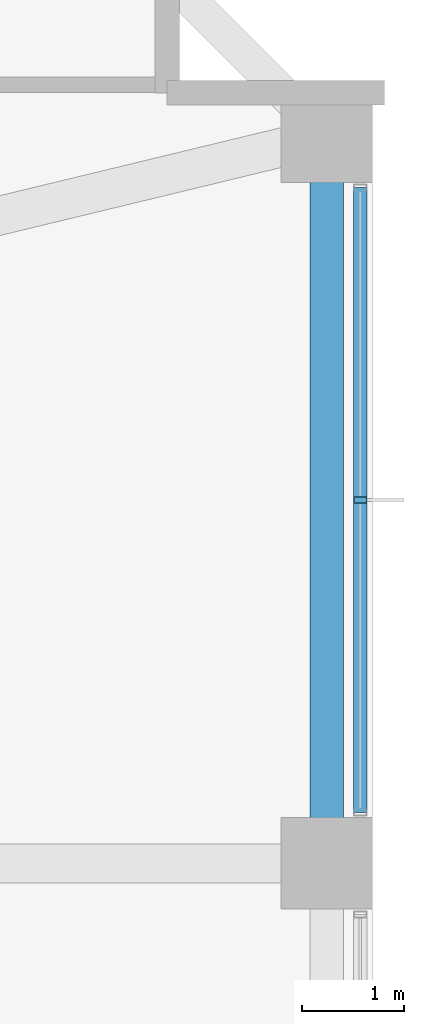
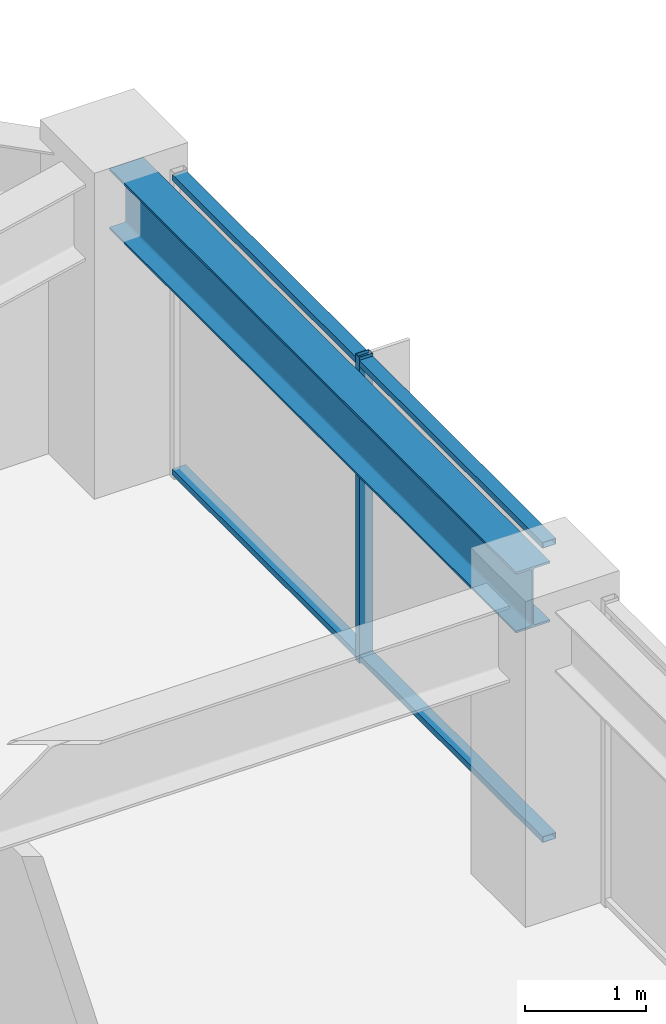
# One storey, part 15 of 31: 3 members, 1 beam, 1 element without a shape of its own.
"""IFC4 building model written with IfcOpenShell, lengths in metres."""

from ifc_helpers import new_model, si_unit, direction, frame, origin, origin_2d, place, context, subcontext, project, spatial, hollow_rectangle, i_section, extrude, material, material_profile, profile_set, type_object, element, aggregate, save


model = new_model("IFC4")

# Units and contexts
model_context = context("Model", 3, precision=1e-05, world=origin(), true_north=direction((0.0, 1.0)))
body_context = subcontext(model_context, "Body", "Model", "MODEL_VIEW")
ifc_project = project(units=[si_unit("LENGTHUNIT", "METRE"), si_unit("AREAUNIT", "SQUARE_METRE"), si_unit("VOLUMEUNIT", "CUBIC_METRE"), si_unit("PLANEANGLEUNIT", "RADIAN"), si_unit("MASSUNIT", "GRAM", prefix="KILO")], contexts=[model_context])

# Site, building, storey
site_placement = place(None, origin())
site = spatial("IfcSite", under=ifc_project, at=site_placement, CompositionType="ELEMENT")
building_placement = place(site_placement, origin())
building = spatial("IfcBuilding", under=site, at=building_placement, Name="Kolvaren Belvedere", CompositionType="ELEMENT")
storey_placement = place(building_placement, frame((0.0, 0.0, 131.60009765625)))
storey = spatial("IfcBuildingStorey", under=building, at=storey_placement, Name="L38", CompositionType="ELEMENT", Elevation=131.60009765625)

# Beam
ifc_material_1 = material(Name="Structural steel ASTM A992 Grade 50", Category="steel")
ifc_material_profile_1 = material_profile(ifc_material_1, i_section(OverallWidth=0.324951171875, OverallDepth=0.615966796875, WebThickness=0.013916015625, FlangeThickness=0.021484375, FilletRadius=0.02001953125, at=origin_2d()), Name="W24X117")
ifc_profile_set_1 = profile_set([ifc_material_profile_1], Name="Structural steel ASTM A992 Grade 50")
beam_type = type_object("IfcBeamType", Name="BM-SPAN-W24X117", PredefinedType="SPANDREL", material=ifc_profile_set_1)
beam_placement = place(storey_placement, frame((17.550048828125, 4.802490234375, 2.7919921875), z_axis=(0.0, 1.0, 0.0), x_axis=(-1.0, 0.0, 0.0)))
element("IfcBeam", 1, at=beam_placement, inside=storey, type_object=beam_type, Name="L38 Perimeter Spandrel E3-E4", PredefinedType="SPANDREL", context=body_context, shape_type="SweptSolid", body=[
    extrude(i_section(OverallWidth=0.324951171875, OverallDepth=0.615966796875, WebThickness=0.013916015625, FlangeThickness=0.021484375, FilletRadius=0.02001953125, at=origin_2d()), origin(), (0.0, 0.0, 1.0), 6.7451171875),
])

# Curtain wall, members
ifc_material_2 = material(Name="Anodised pale-metal aluminium AA 6063-T6", Category="aluminium")
curtain_wall_type = type_object("IfcCurtainWallType", Name="CW-Z3-WAIST", PredefinedType="NOTDEFINED", material=ifc_material_2)
curtain_wall_placement = place(storey_placement, origin())
curtain_wall = element("IfcCurtainWall", 2, at=curtain_wall_placement, inside=storey, type_object=curtain_wall_type, Name="L38 Unitised Curtain Wall FCW-L38-E-B1", PredefinedType="NOTDEFINED")
ifc_material_3 = material(Name="Anodised pale-metal aluminium AA 6063-T6", Category="aluminium")
ifc_material_profile_2 = material_profile(ifc_material_3, hollow_rectangle(XDim=0.06494140625, YDim=0.1298828125, WallThickness=0.00390625, at=origin_2d()), Name="ALU-MUL-130X65")
ifc_profile_set_2 = profile_set([ifc_material_profile_2], Name="Anodised pale-metal aluminium AA 6063-T6")
member_type_1 = type_object("IfcMemberType", Name="CW-MUL-130", PredefinedType="MULLION", material=ifc_profile_set_2)
member_1_placement = place(storey_placement, frame((17.8798828125, 8.175048828125, 0.0), z_axis=(0.0, 0.0, 1.0), x_axis=(0.0, 1.0, 0.0)))
member_1 = element("IfcMember", 3, at=member_1_placement, type_object=member_type_1, Name="FCW-L38-E-B1 Unitised Mullion 2", PredefinedType="MULLION", context=body_context, shape_type="SweptSolid", body=[
    extrude(hollow_rectangle(XDim=0.06494140625, YDim=0.1298828125, WallThickness=0.00390625, at=origin_2d()), origin(), (0.0, 0.0, 1.0), 3.099853515625),
])
ifc_material_4 = material(Name="Anodised pale-metal aluminium AA 6063-T6", Category="aluminium")
ifc_material_profile_3 = material_profile(ifc_material_4, hollow_rectangle(XDim=0.06005859375, YDim=0.1298828125, WallThickness=0.00390625, at=origin_2d()), Name="ALU-TRN-130X60")
ifc_profile_set_3 = profile_set([ifc_material_profile_3], Name="Anodised pale-metal aluminium AA 6063-T6")
member_type_2 = type_object("IfcMemberType", Name="CW-TRN-130", PredefinedType="USERDEFINED", material=ifc_profile_set_3)
member_2_placement = place(storey_placement, frame((17.8798828125, 11.24755859375, 0.059814453125), z_axis=(0.0, -1.0, 0.0), x_axis=(0.0, 0.0, 1.0)))
member_2 = element("IfcMember", 4, at=member_2_placement, type_object=member_type_2, Name="FCW-L38-E-B1 Sill Transom", ObjectType="TRANSOM", PredefinedType="USERDEFINED", context=body_context, shape_type="SweptSolid", body=[
    extrude(hollow_rectangle(XDim=0.06005859375, YDim=0.1298828125, WallThickness=0.00390625, at=origin_2d()), origin(), (0.0, 0.0, 1.0), 6.14501953125),
])
member_3_placement = place(storey_placement, frame((17.8798828125, 11.24755859375, 3.039794921875), z_axis=(0.0, -1.0, 0.0), x_axis=(0.0, 0.0, 1.0)))
member_3 = element("IfcMember", 5, at=member_3_placement, type_object=member_type_2, Name="FCW-L38-E-B1 Head Transom", ObjectType="TRANSOM", PredefinedType="USERDEFINED", context=body_context, shape_type="SweptSolid", body=[
    extrude(hollow_rectangle(XDim=0.06005859375, YDim=0.1298828125, WallThickness=0.00390625, at=origin_2d()), origin(), (0.0, 0.0, 1.0), 6.14501953125),
])
aggregate(curtain_wall, [member_1, member_2, member_3])

save(model, "model.ifc")
